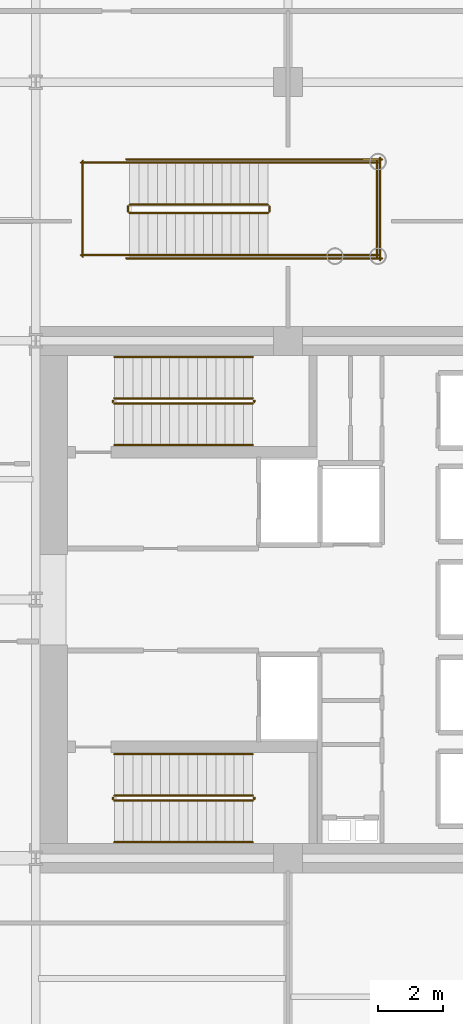
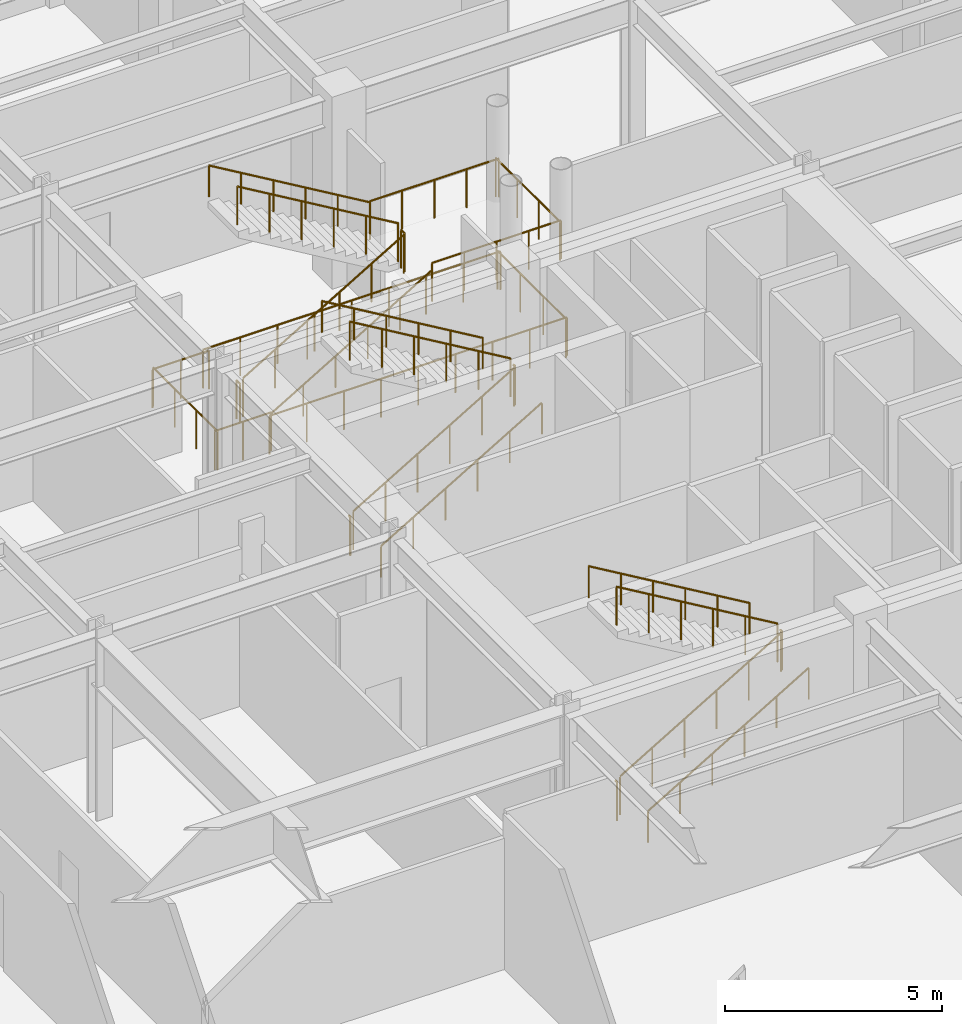
# One storey, part 11 of 11: 27 railings.
"""IFC4 building model written with IfcOpenShell, lengths in metres."""

from ifc_helpers import new_model, si_unit, direction, frame, origin, origin_2d, place, context, subcontext, project, spatial, circle, extrude, material, type_object, element, save


model = new_model("IFC4")

# Units and contexts
model_context = context("Model", 3, precision=1e-05, world=origin(), true_north=direction((0.0, 1.0)))
body_context = subcontext(model_context, "Body", "Model", "MODEL_VIEW")
ifc_project = project(units=[si_unit("LENGTHUNIT", "METRE"), si_unit("AREAUNIT", "SQUARE_METRE"), si_unit("VOLUMEUNIT", "CUBIC_METRE"), si_unit("PLANEANGLEUNIT", "RADIAN"), si_unit("MASSUNIT", "GRAM", prefix="KILO")], contexts=[model_context])

# Site, building, storey
site_placement = place(None, origin())
site = spatial("IfcSite", under=ifc_project, at=site_placement, CompositionType="ELEMENT")
building_placement = place(site_placement, origin())
building = spatial("IfcBuilding", under=site, at=building_placement, Name="Veymaron Broadcast Tower", CompositionType="ELEMENT")
storey_placement = place(building_placement, frame((0.0, 0.0, 16.199951171875)))
storey = spatial("IfcBuildingStorey", under=building, at=storey_placement, Name="L03", CompositionType="ELEMENT", Elevation=16.199951171875)

# Railings
ifc_material_1 = material(Name="Brushed stainless steel AISI 304", Category="steel")
railing_type_1 = type_object("IfcRailingType", Name="RAIL-STAIR-HR", PredefinedType="HANDRAIL", material=ifc_material_1)
railing_1_placement = place(storey_placement, frame((41.429931640625, 28.780029296875, 0.168701171875)))
element("IfcRailing", 1, at=railing_1_placement, inside=storey, type_object=railing_type_1, Name="L03 ST1 stair handrail 1", PredefinedType="HANDRAIL", context=body_context, shape_type="SweptSolid", body=[
    extrude(circle(Radius=0.02392578125, at=origin_2d()), frame((0.0, 0.0, 0.8759765625), z_axis=(0.860483042394, 0.0, 0.50947908078), x_axis=(0.0, 1.0, 0.0)), (0.0, 0.0, 1.0), 4.96826171875),
    extrude(circle(Radius=0.02099609375, at=origin_2d()), origin(), (0.0, 0.0, 1.0), 0.851806640625),
    extrude(circle(Radius=0.02099609375, at=origin_2d()), frame((0.85498046875, 0.0, 0.50634765625)), (0.0, 0.0, 1.0), 0.851806640625),
    extrude(circle(Radius=0.02099609375, at=origin_2d()), frame((1.7099609375, 0.0, 1.012451171875)), (0.0, 0.0, 1.0), 0.851806640625),
    extrude(circle(Radius=0.02099609375, at=origin_2d()), frame((2.565185546875, 0.0, 1.518798828125)), (0.0, 0.0, 1.0), 0.851806640625),
    extrude(circle(Radius=0.02099609375, at=origin_2d()), frame((3.420166015625, 0.0, 2.02490234375)), (0.0, 0.0, 1.0), 0.851806640625),
    extrude(circle(Radius=0.02099609375, at=origin_2d()), frame((4.275146484375, 0.0, 2.53125)), (0.0, 0.0, 1.0), 0.851806640625),
])
railing_2_placement = place(storey_placement, frame((45.705078125, 31.5, 2.868896484375)))
element("IfcRailing", 2, at=railing_2_placement, inside=storey, type_object=railing_type_1, Name="L03 ST1 stair handrail 2", PredefinedType="HANDRAIL", context=body_context, shape_type="SweptSolid", body=[
    extrude(circle(Radius=0.02392578125, at=origin_2d()), frame((0.0, 0.0, 0.8759765625), z_axis=(-0.860483042394, 0.0, 0.50947908078), x_axis=(0.0, -1.0, 0.0)), (0.0, 0.0, 1.0), 4.96826171875),
    extrude(circle(Radius=0.02099609375, at=origin_2d()), origin(), (0.0, 0.0, 1.0), 0.851806640625),
    extrude(circle(Radius=0.02099609375, at=origin_2d()), frame((-0.85498046875, 0.0, 0.50634765625)), (0.0, 0.0, 1.0), 0.851806640625),
    extrude(circle(Radius=0.02099609375, at=origin_2d()), frame((-1.7099609375, 0.0, 1.012451171875)), (0.0, 0.0, 1.0), 0.851806640625),
    extrude(circle(Radius=0.02099609375, at=origin_2d()), frame((-2.565185546875, 0.0, 1.518798828125)), (0.0, 0.0, 1.0), 0.851806640625),
    extrude(circle(Radius=0.02099609375, at=origin_2d()), frame((-3.420166015625, 0.0, 2.02490234375)), (0.0, 0.0, 1.0), 0.851806640625),
    extrude(circle(Radius=0.02099609375, at=origin_2d()), frame((-4.275146484375, 0.0, 2.53125)), (0.0, 0.0, 1.0), 0.851806640625),
])
railing_3_placement = place(storey_placement, frame((41.429931640625, 16.5, 0.168701171875)))
element("IfcRailing", 3, at=railing_3_placement, inside=storey, type_object=railing_type_1, Name="L03 ST2 stair handrail 1", PredefinedType="HANDRAIL", context=body_context, shape_type="SweptSolid", body=[
    extrude(circle(Radius=0.02392578125, at=origin_2d()), frame((0.0, 0.0, 0.8759765625), z_axis=(0.860483042394, 0.0, 0.50947908078), x_axis=(0.0, 1.0, 0.0)), (0.0, 0.0, 1.0), 4.96826171875),
    extrude(circle(Radius=0.02099609375, at=origin_2d()), origin(), (0.0, 0.0, 1.0), 0.851806640625),
    extrude(circle(Radius=0.02099609375, at=origin_2d()), frame((0.85498046875, 0.0, 0.50634765625)), (0.0, 0.0, 1.0), 0.851806640625),
    extrude(circle(Radius=0.02099609375, at=origin_2d()), frame((1.7099609375, 0.0, 1.012451171875)), (0.0, 0.0, 1.0), 0.851806640625),
    extrude(circle(Radius=0.02099609375, at=origin_2d()), frame((2.565185546875, 0.0, 1.518798828125)), (0.0, 0.0, 1.0), 0.851806640625),
    extrude(circle(Radius=0.02099609375, at=origin_2d()), frame((3.420166015625, 0.0, 2.02490234375)), (0.0, 0.0, 1.0), 0.851806640625),
    extrude(circle(Radius=0.02099609375, at=origin_2d()), frame((4.275146484375, 0.0, 2.53125)), (0.0, 0.0, 1.0), 0.851806640625),
])
railing_4_placement = place(storey_placement, frame((45.705078125, 19.219970703125, 2.868896484375)))
element("IfcRailing", 4, at=railing_4_placement, inside=storey, type_object=railing_type_1, Name="L03 ST2 stair handrail 2", PredefinedType="HANDRAIL", context=body_context, shape_type="SweptSolid", body=[
    extrude(circle(Radius=0.02392578125, at=origin_2d()), frame((0.0, 0.0, 0.8759765625), z_axis=(-0.860483042394, 0.0, 0.50947908078), x_axis=(0.0, -1.0, 0.0)), (0.0, 0.0, 1.0), 4.96826171875),
    extrude(circle(Radius=0.02099609375, at=origin_2d()), origin(), (0.0, 0.0, 1.0), 0.851806640625),
    extrude(circle(Radius=0.02099609375, at=origin_2d()), frame((-0.85498046875, 0.0, 0.50634765625)), (0.0, 0.0, 1.0), 0.851806640625),
    extrude(circle(Radius=0.02099609375, at=origin_2d()), frame((-1.7099609375, 0.0, 1.012451171875)), (0.0, 0.0, 1.0), 0.851806640625),
    extrude(circle(Radius=0.02099609375, at=origin_2d()), frame((-2.565185546875, 0.0, 1.518798828125)), (0.0, 0.0, 1.0), 0.851806640625),
    extrude(circle(Radius=0.02099609375, at=origin_2d()), frame((-3.420166015625, 0.0, 2.02490234375)), (0.0, 0.0, 1.0), 0.851806640625),
    extrude(circle(Radius=0.02099609375, at=origin_2d()), frame((-4.275146484375, 0.0, 2.53125)), (0.0, 0.0, 1.0), 0.851806640625),
])
railing_5_placement = place(storey_placement, frame((41.89990234375, 34.64990234375, 0.168701171875)))
element("IfcRailing", 5, at=railing_5_placement, inside=storey, type_object=railing_type_1, Name="L03 STF1 stair handrail 1", PredefinedType="HANDRAIL", context=body_context, shape_type="SweptSolid", body=[
    extrude(circle(Radius=0.02392578125, at=origin_2d()), frame((0.0, 0.0, 0.8759765625), z_axis=(0.860483042394, 0.0, 0.50947908078), x_axis=(0.0, 1.0, 0.0)), (0.0, 0.0, 1.0), 4.96826171875),
    extrude(circle(Radius=0.02099609375, at=origin_2d()), origin(), (0.0, 0.0, 1.0), 0.851806640625),
    extrude(circle(Radius=0.02099609375, at=origin_2d()), frame((0.85498046875, 0.0, 0.50634765625)), (0.0, 0.0, 1.0), 0.851806640625),
    extrude(circle(Radius=0.02099609375, at=origin_2d()), frame((1.7099609375, 0.0, 1.012451171875)), (0.0, 0.0, 1.0), 0.851806640625),
    extrude(circle(Radius=0.02099609375, at=origin_2d()), frame((2.565185546875, 0.0, 1.518798828125)), (0.0, 0.0, 1.0), 0.851806640625),
    extrude(circle(Radius=0.02099609375, at=origin_2d()), frame((3.420166015625, 0.0, 2.02490234375)), (0.0, 0.0, 1.0), 0.851806640625),
    extrude(circle(Radius=0.02099609375, at=origin_2d()), frame((4.275146484375, 0.0, 2.53125)), (0.0, 0.0, 1.0), 0.851806640625),
])
railing_6_placement = place(storey_placement, frame((46.175048828125, 37.510009765625, 2.868896484375)))
element("IfcRailing", 6, at=railing_6_placement, inside=storey, type_object=railing_type_1, Name="L03 STF1 stair handrail 2", PredefinedType="HANDRAIL", context=body_context, shape_type="SweptSolid", body=[
    extrude(circle(Radius=0.02392578125, at=origin_2d()), frame((0.0, 0.0, 0.8759765625), z_axis=(-0.860483042394, 0.0, 0.50947908078), x_axis=(0.0, -1.0, 0.0)), (0.0, 0.0, 1.0), 4.96826171875),
    extrude(circle(Radius=0.02099609375, at=origin_2d()), origin(), (0.0, 0.0, 1.0), 0.851806640625),
    extrude(circle(Radius=0.02099609375, at=origin_2d()), frame((-0.85498046875, 0.0, 0.50634765625)), (0.0, 0.0, 1.0), 0.851806640625),
    extrude(circle(Radius=0.02099609375, at=origin_2d()), frame((-1.7099609375, 0.0, 1.012451171875)), (0.0, 0.0, 1.0), 0.851806640625),
    extrude(circle(Radius=0.02099609375, at=origin_2d()), frame((-2.565185546875, 0.0, 1.518798828125)), (0.0, 0.0, 1.0), 0.851806640625),
    extrude(circle(Radius=0.02099609375, at=origin_2d()), frame((-3.420166015625, 0.0, 2.02490234375)), (0.0, 0.0, 1.0), 0.851806640625),
    extrude(circle(Radius=0.02099609375, at=origin_2d()), frame((-4.275146484375, 0.0, 2.53125)), (0.0, 0.0, 1.0), 0.851806640625),
])
ifc_material_2 = material(Name="Painted galvanized steel balustrade", Category="steel")
railing_type_2 = type_object("IfcRailingType", Name="RAIL-WELL-GRD", PredefinedType="GUARDRAIL", material=ifc_material_2)
railing_7_placement = place(storey_placement, frame((41.429931640625, 30.06005859375, 0.168701171875)))
element("IfcRailing", 7, at=railing_7_placement, inside=storey, type_object=railing_type_2, Name="L03 ST1 stair guard 1", PredefinedType="GUARDRAIL", context=body_context, shape_type="SweptSolid", body=[
    extrude(circle(Radius=0.02392578125, at=origin_2d()), frame((0.0, 0.0, 1.076171875), z_axis=(0.860483042394, 0.0, 0.50947908078), x_axis=(0.0, 1.0, 0.0)), (0.0, 0.0, 1.0), 4.96826171875),
    extrude(circle(Radius=0.02099609375, at=origin_2d()), origin(), (0.0, 0.0, 1.0), 1.052001953125),
    extrude(circle(Radius=0.02099609375, at=origin_2d()), frame((0.85498046875, 0.0, 0.50634765625)), (0.0, 0.0, 1.0), 1.052001953125),
    extrude(circle(Radius=0.02099609375, at=origin_2d()), frame((1.7099609375, 0.0, 1.012451171875)), (0.0, 0.0, 1.0), 1.052001953125),
    extrude(circle(Radius=0.02099609375, at=origin_2d()), frame((2.565185546875, 0.0, 1.518798828125)), (0.0, 0.0, 1.0), 1.052001953125),
    extrude(circle(Radius=0.02099609375, at=origin_2d()), frame((3.420166015625, 0.0, 2.02490234375)), (0.0, 0.0, 1.0), 1.052001953125),
    extrude(circle(Radius=0.02099609375, at=origin_2d()), frame((4.275146484375, 0.0, 2.53125)), (0.0, 0.0, 1.0), 1.052001953125),
])
railing_8_placement = place(storey_placement, frame((45.7548828125, 30.110107421875, 2.699951171875)))
element("IfcRailing", 8, at=railing_8_placement, inside=storey, type_object=railing_type_2, Name="L03 ST1 stair guard 2", PredefinedType="GUARDRAIL", context=body_context, shape_type="SweptSolid", body=[
    extrude(circle(Radius=0.02392578125, at=origin_2d()), frame((0.0, 0.0, 1.076171875), z_axis=(0.0, 1.0, 0.0), x_axis=(-1.0, 0.0, 0.0)), (0.0, 0.0, 1.0), 0.059814453125),
    extrude(circle(Radius=0.02099609375, at=origin_2d()), origin(), (0.0, 0.0, 1.0), 1.052001953125),
])
railing_9_placement = place(storey_placement, frame((45.705078125, 30.219970703125, 2.868896484375)))
element("IfcRailing", 9, at=railing_9_placement, inside=storey, type_object=railing_type_2, Name="L03 ST1 stair guard 3", PredefinedType="GUARDRAIL", context=body_context, shape_type="SweptSolid", body=[
    extrude(circle(Radius=0.02392578125, at=origin_2d()), frame((0.0, 0.0, 1.076171875), z_axis=(-0.860483042394, 0.0, 0.50947908078), x_axis=(0.0, -1.0, 0.0)), (0.0, 0.0, 1.0), 4.96826171875),
    extrude(circle(Radius=0.02099609375, at=origin_2d()), origin(), (0.0, 0.0, 1.0), 1.052001953125),
    extrude(circle(Radius=0.02099609375, at=origin_2d()), frame((-0.85498046875, 0.0, 0.50634765625)), (0.0, 0.0, 1.0), 1.052001953125),
    extrude(circle(Radius=0.02099609375, at=origin_2d()), frame((-1.7099609375, 0.0, 1.012451171875)), (0.0, 0.0, 1.0), 1.052001953125),
    extrude(circle(Radius=0.02099609375, at=origin_2d()), frame((-2.565185546875, 0.0, 1.518798828125)), (0.0, 0.0, 1.0), 1.052001953125),
    extrude(circle(Radius=0.02099609375, at=origin_2d()), frame((-3.420166015625, 0.0, 2.02490234375)), (0.0, 0.0, 1.0), 1.052001953125),
    extrude(circle(Radius=0.02099609375, at=origin_2d()), frame((-4.275146484375, 0.0, 2.53125)), (0.0, 0.0, 1.0), 1.052001953125),
])
railing_10_placement = place(storey_placement, frame((41.3798828125, 30.110107421875, 0.0)))
element("IfcRailing", 10, at=railing_10_placement, inside=storey, type_object=railing_type_2, Name="L03 ST1 stair guard 4", PredefinedType="GUARDRAIL", context=body_context, shape_type="SweptSolid", body=[
    extrude(circle(Radius=0.02392578125, at=origin_2d()), frame((0.0, 0.0, 1.076171875), z_axis=(0.0, 1.0, 0.0), x_axis=(-1.0, 0.0, 0.0)), (0.0, 0.0, 1.0), 0.059814453125),
    extrude(circle(Radius=0.02099609375, at=origin_2d()), origin(), (0.0, 0.0, 1.0), 1.052001953125),
])
railing_11_placement = place(storey_placement, frame((41.429931640625, 17.780029296875, 0.168701171875)))
element("IfcRailing", 11, at=railing_11_placement, inside=storey, type_object=railing_type_2, Name="L03 ST2 stair guard 1", PredefinedType="GUARDRAIL", context=body_context, shape_type="SweptSolid", body=[
    extrude(circle(Radius=0.02392578125, at=origin_2d()), frame((0.0, 0.0, 1.076171875), z_axis=(0.860483042394, 0.0, 0.50947908078), x_axis=(0.0, 1.0, 0.0)), (0.0, 0.0, 1.0), 4.96826171875),
    extrude(circle(Radius=0.02099609375, at=origin_2d()), origin(), (0.0, 0.0, 1.0), 1.052001953125),
    extrude(circle(Radius=0.02099609375, at=origin_2d()), frame((0.85498046875, 0.0, 0.50634765625)), (0.0, 0.0, 1.0), 1.052001953125),
    extrude(circle(Radius=0.02099609375, at=origin_2d()), frame((1.7099609375, 0.0, 1.012451171875)), (0.0, 0.0, 1.0), 1.052001953125),
    extrude(circle(Radius=0.02099609375, at=origin_2d()), frame((2.565185546875, 0.0, 1.518798828125)), (0.0, 0.0, 1.0), 1.052001953125),
    extrude(circle(Radius=0.02099609375, at=origin_2d()), frame((3.420166015625, 0.0, 2.02490234375)), (0.0, 0.0, 1.0), 1.052001953125),
    extrude(circle(Radius=0.02099609375, at=origin_2d()), frame((4.275146484375, 0.0, 2.53125)), (0.0, 0.0, 1.0), 1.052001953125),
])
railing_12_placement = place(storey_placement, frame((45.7548828125, 17.830078125, 2.699951171875)))
element("IfcRailing", 12, at=railing_12_placement, inside=storey, type_object=railing_type_2, Name="L03 ST2 stair guard 2", PredefinedType="GUARDRAIL", context=body_context, shape_type="SweptSolid", body=[
    extrude(circle(Radius=0.02392578125, at=origin_2d()), frame((0.0, 0.0, 1.076171875), z_axis=(0.0, 1.0, 0.0), x_axis=(-1.0, 0.0, 0.0)), (0.0, 0.0, 1.0), 0.059814453125),
    extrude(circle(Radius=0.02099609375, at=origin_2d()), origin(), (0.0, 0.0, 1.0), 1.052001953125),
])
railing_13_placement = place(storey_placement, frame((45.705078125, 17.93994140625, 2.868896484375)))
element("IfcRailing", 13, at=railing_13_placement, inside=storey, type_object=railing_type_2, Name="L03 ST2 stair guard 3", PredefinedType="GUARDRAIL", context=body_context, shape_type="SweptSolid", body=[
    extrude(circle(Radius=0.02392578125, at=origin_2d()), frame((0.0, 0.0, 1.076171875), z_axis=(-0.860483042394, 0.0, 0.50947908078), x_axis=(0.0, -1.0, 0.0)), (0.0, 0.0, 1.0), 4.96826171875),
    extrude(circle(Radius=0.02099609375, at=origin_2d()), origin(), (0.0, 0.0, 1.0), 1.052001953125),
    extrude(circle(Radius=0.02099609375, at=origin_2d()), frame((-0.85498046875, 0.0, 0.50634765625)), (0.0, 0.0, 1.0), 1.052001953125),
    extrude(circle(Radius=0.02099609375, at=origin_2d()), frame((-1.7099609375, 0.0, 1.012451171875)), (0.0, 0.0, 1.0), 1.052001953125),
    extrude(circle(Radius=0.02099609375, at=origin_2d()), frame((-2.565185546875, 0.0, 1.518798828125)), (0.0, 0.0, 1.0), 1.052001953125),
    extrude(circle(Radius=0.02099609375, at=origin_2d()), frame((-3.420166015625, 0.0, 2.02490234375)), (0.0, 0.0, 1.0), 1.052001953125),
    extrude(circle(Radius=0.02099609375, at=origin_2d()), frame((-4.275146484375, 0.0, 2.53125)), (0.0, 0.0, 1.0), 1.052001953125),
])
railing_14_placement = place(storey_placement, frame((41.3798828125, 17.830078125, 0.0)))
element("IfcRailing", 14, at=railing_14_placement, inside=storey, type_object=railing_type_2, Name="L03 ST2 stair guard 4", PredefinedType="GUARDRAIL", context=body_context, shape_type="SweptSolid", body=[
    extrude(circle(Radius=0.02392578125, at=origin_2d()), frame((0.0, 0.0, 1.076171875), z_axis=(0.0, 1.0, 0.0), x_axis=(-1.0, 0.0, 0.0)), (0.0, 0.0, 1.0), 0.059814453125),
    extrude(circle(Radius=0.02099609375, at=origin_2d()), origin(), (0.0, 0.0, 1.0), 1.052001953125),
])
railing_15_placement = place(storey_placement, frame((41.89990234375, 35.949951171875, 0.168701171875)))
element("IfcRailing", 15, at=railing_15_placement, inside=storey, type_object=railing_type_2, Name="L03 STF1 stair guard 1", PredefinedType="GUARDRAIL", context=body_context, shape_type="SweptSolid", body=[
    extrude(circle(Radius=0.02392578125, at=origin_2d()), frame((0.0, 0.0, 1.076171875), z_axis=(0.860483042394, 0.0, 0.50947908078), x_axis=(0.0, 1.0, 0.0)), (0.0, 0.0, 1.0), 4.96826171875),
    extrude(circle(Radius=0.02099609375, at=origin_2d()), origin(), (0.0, 0.0, 1.0), 1.052001953125),
    extrude(circle(Radius=0.02099609375, at=origin_2d()), frame((0.85498046875, 0.0, 0.50634765625)), (0.0, 0.0, 1.0), 1.052001953125),
    extrude(circle(Radius=0.02099609375, at=origin_2d()), frame((1.7099609375, 0.0, 1.012451171875)), (0.0, 0.0, 1.0), 1.052001953125),
    extrude(circle(Radius=0.02099609375, at=origin_2d()), frame((2.565185546875, 0.0, 1.518798828125)), (0.0, 0.0, 1.0), 1.052001953125),
    extrude(circle(Radius=0.02099609375, at=origin_2d()), frame((3.420166015625, 0.0, 2.02490234375)), (0.0, 0.0, 1.0), 1.052001953125),
    extrude(circle(Radius=0.02099609375, at=origin_2d()), frame((4.275146484375, 0.0, 2.53125)), (0.0, 0.0, 1.0), 1.052001953125),
])
railing_16_placement = place(storey_placement, frame((46.22509765625, 36.0, 2.699951171875)))
element("IfcRailing", 16, at=railing_16_placement, inside=storey, type_object=railing_type_2, Name="L03 STF1 stair guard 2", PredefinedType="GUARDRAIL", context=body_context, shape_type="SweptSolid", body=[
    extrude(circle(Radius=0.02392578125, at=origin_2d()), frame((0.0, 0.0, 1.076171875), z_axis=(0.0, 1.0, 0.0), x_axis=(-1.0, 0.0, 0.0)), (0.0, 0.0, 1.0), 0.159912109375),
    extrude(circle(Radius=0.02099609375, at=origin_2d()), origin(), (0.0, 0.0, 1.0), 1.052001953125),
    extrude(circle(Radius=0.02099609375, at=origin_2d()), frame((0.0, 0.159912109375, 0.0)), (0.0, 0.0, 1.0), 1.052001953125),
])
for number, where, name in (
    (17, (46.175048828125, 34.64990234375, 2.699951171875), "L03 STF1 stair guard 3"),
    (18, (46.175048828125, 37.510009765625, 2.699951171875), "L03 STF1 stair guard 4"),
):
    element("IfcRailing", number, at=place(storey_placement, frame(where)), inside=storey, type_object=railing_type_2, Name=name, PredefinedType="GUARDRAIL", context=body_context, shape_type="SweptSolid", body=[
        extrude(circle(Radius=0.02392578125, at=origin_2d()), frame((0.0, 0.0, 1.076171875), z_axis=(1.0, 0.0, 0.0), x_axis=(0.0, 1.0, 0.0)), (0.0, 0.0, 1.0), 3.425048828125),
        extrude(circle(Radius=0.02099609375, at=origin_2d()), origin(), (0.0, 0.0, 1.0), 1.052001953125),
        extrude(circle(Radius=0.02099609375, at=origin_2d()), frame((0.856201171875, 0.0, 0.0)), (0.0, 0.0, 1.0), 1.052001953125),
        extrude(circle(Radius=0.02099609375, at=origin_2d()), frame((1.71240234375, 0.0, 0.0)), (0.0, 0.0, 1.0), 1.052001953125),
        extrude(circle(Radius=0.02099609375, at=origin_2d()), frame((2.56884765625, 0.0, 0.0)), (0.0, 0.0, 1.0), 1.052001953125),
        extrude(circle(Radius=0.02099609375, at=origin_2d()), frame((3.425048828125, 0.0, 0.0)), (0.0, 0.0, 1.0), 1.052001953125),
    ])
railing_17_placement = place(storey_placement, frame((49.550048828125, 34.60009765625, 2.699951171875)))
element("IfcRailing", 19, at=railing_17_placement, inside=storey, type_object=railing_type_2, Name="L03 STF1 stair guard 5", PredefinedType="GUARDRAIL", context=body_context, shape_type="SweptSolid", body=[
    extrude(circle(Radius=0.02392578125, at=origin_2d()), frame((0.0, 0.0, 1.076171875), z_axis=(0.0, 1.0, 0.0), x_axis=(-1.0, 0.0, 0.0)), (0.0, 0.0, 1.0), 2.9599609375),
    extrude(circle(Radius=0.02099609375, at=origin_2d()), origin(), (0.0, 0.0, 1.0), 1.052001953125),
    extrude(circle(Radius=0.02099609375, at=origin_2d()), frame((0.0, 0.986572265625, 0.0)), (0.0, 0.0, 1.0), 1.052001953125),
    extrude(circle(Radius=0.02099609375, at=origin_2d()), frame((0.0, 1.973388671875, 0.0)), (0.0, 0.0, 1.0), 1.052001953125),
    extrude(circle(Radius=0.02099609375, at=origin_2d()), frame((0.0, 2.9599609375, 0.0)), (0.0, 0.0, 1.0), 1.052001953125),
])
railing_18_placement = place(storey_placement, frame((46.175048828125, 36.2099609375, 2.868896484375)))
element("IfcRailing", 20, at=railing_18_placement, inside=storey, type_object=railing_type_2, Name="L03 STF1 stair guard 6", PredefinedType="GUARDRAIL", context=body_context, shape_type="SweptSolid", body=[
    extrude(circle(Radius=0.02392578125, at=origin_2d()), frame((0.0, 0.0, 1.076171875), z_axis=(-0.860483042394, 0.0, 0.50947908078), x_axis=(0.0, -1.0, 0.0)), (0.0, 0.0, 1.0), 4.96826171875),
    extrude(circle(Radius=0.02099609375, at=origin_2d()), origin(), (0.0, 0.0, 1.0), 1.052001953125),
    extrude(circle(Radius=0.02099609375, at=origin_2d()), frame((-0.85498046875, 0.0, 0.50634765625)), (0.0, 0.0, 1.0), 1.052001953125),
    extrude(circle(Radius=0.02099609375, at=origin_2d()), frame((-1.7099609375, 0.0, 1.012451171875)), (0.0, 0.0, 1.0), 1.052001953125),
    extrude(circle(Radius=0.02099609375, at=origin_2d()), frame((-2.565185546875, 0.0, 1.518798828125)), (0.0, 0.0, 1.0), 1.052001953125),
    extrude(circle(Radius=0.02099609375, at=origin_2d()), frame((-3.420166015625, 0.0, 2.02490234375)), (0.0, 0.0, 1.0), 1.052001953125),
    extrude(circle(Radius=0.02099609375, at=origin_2d()), frame((-4.275146484375, 0.0, 2.53125)), (0.0, 0.0, 1.0), 1.052001953125),
])
railing_19_placement = place(storey_placement, frame((41.85009765625, 36.0, 0.0)))
element("IfcRailing", 21, at=railing_19_placement, inside=storey, type_object=railing_type_2, Name="L03 STF1 stair guard 7", PredefinedType="GUARDRAIL", context=body_context, shape_type="SweptSolid", body=[
    extrude(circle(Radius=0.02392578125, at=origin_2d()), frame((0.0, 0.0, 1.076171875), z_axis=(0.0, 1.0, 0.0), x_axis=(-1.0, 0.0, 0.0)), (0.0, 0.0, 1.0), 0.159912109375),
    extrude(circle(Radius=0.02099609375, at=origin_2d()), origin(), (0.0, 0.0, 1.0), 1.052001953125),
    extrude(circle(Radius=0.02099609375, at=origin_2d()), frame((0.0, 0.159912109375, 0.0)), (0.0, 0.0, 1.0), 1.052001953125),
])
for number, where, name in (
    (22, (40.39990234375, 34.64990234375, 0.0), "L03 STF1 stair guard 8"),
    (23, (40.39990234375, 37.510009765625, 0.0), "L03 STF1 stair guard 9"),
):
    element("IfcRailing", number, at=place(storey_placement, frame(where)), inside=storey, type_object=railing_type_2, Name=name, PredefinedType="GUARDRAIL", context=body_context, shape_type="SweptSolid", body=[
        extrude(circle(Radius=0.02392578125, at=origin_2d()), frame((0.0, 0.0, 1.076171875), z_axis=(1.0, 0.0, 0.0), x_axis=(0.0, 1.0, 0.0)), (0.0, 0.0, 1.0), 1.5),
        extrude(circle(Radius=0.02099609375, at=origin_2d()), origin(), (0.0, 0.0, 1.0), 1.052001953125),
        extrude(circle(Radius=0.02099609375, at=origin_2d()), frame((0.75, 0.0, 0.0)), (0.0, 0.0, 1.0), 1.052001953125),
        extrude(circle(Radius=0.02099609375, at=origin_2d()), frame((1.5, 0.0, 0.0)), (0.0, 0.0, 1.0), 1.052001953125),
    ])
railing_20_placement = place(storey_placement, frame((40.449951171875, 34.60009765625, 0.0)))
element("IfcRailing", 24, at=railing_20_placement, inside=storey, type_object=railing_type_2, Name="L03 STF1 stair guard 10", PredefinedType="GUARDRAIL", context=body_context, shape_type="SweptSolid", body=[
    extrude(circle(Radius=0.02392578125, at=origin_2d()), frame((0.0, 0.0, 1.076171875), z_axis=(0.0, 1.0, 0.0), x_axis=(-1.0, 0.0, 0.0)), (0.0, 0.0, 1.0), 2.9599609375),
    extrude(circle(Radius=0.02099609375, at=origin_2d()), origin(), (0.0, 0.0, 1.0), 1.052001953125),
    extrude(circle(Radius=0.02099609375, at=origin_2d()), frame((0.0, 0.986572265625, 0.0)), (0.0, 0.0, 1.0), 1.052001953125),
    extrude(circle(Radius=0.02099609375, at=origin_2d()), frame((0.0, 1.973388671875, 0.0)), (0.0, 0.0, 1.0), 1.052001953125),
    extrude(circle(Radius=0.02099609375, at=origin_2d()), frame((0.0, 2.9599609375, 0.0)), (0.0, 0.0, 1.0), 1.052001953125),
])
for number, where, name in (
    (25, (41.800048828125, 34.550048828125, 0.0), "L03 STF1 stair guard 11"),
    (26, (41.800048828125, 37.610107421875, 0.0), "L03 STF1 stair guard 12"),
):
    element("IfcRailing", number, at=place(storey_placement, frame(where)), inside=storey, type_object=railing_type_2, Name=name, PredefinedType="GUARDRAIL", context=body_context, shape_type="SweptSolid", body=[
        extrude(circle(Radius=0.02392578125, at=origin_2d()), frame((0.0, 0.0, 1.076171875), z_axis=(1.0, 0.0, 0.0), x_axis=(0.0, 1.0, 0.0)), (0.0, 0.0, 1.0), 7.89990234375),
        extrude(circle(Radius=0.02099609375, at=origin_2d()), origin(), (0.0, 0.0, 1.0), 1.052001953125),
        extrude(circle(Radius=0.02099609375, at=origin_2d()), frame((0.987548828125, 0.0, 0.0)), (0.0, 0.0, 1.0), 1.052001953125),
        extrude(circle(Radius=0.02099609375, at=origin_2d()), frame((1.97509765625, 0.0, 0.0)), (0.0, 0.0, 1.0), 1.052001953125),
        extrude(circle(Radius=0.02099609375, at=origin_2d()), frame((2.96240234375, 0.0, 0.0)), (0.0, 0.0, 1.0), 1.052001953125),
        extrude(circle(Radius=0.02099609375, at=origin_2d()), frame((3.949951171875, 0.0, 0.0)), (0.0, 0.0, 1.0), 1.052001953125),
        extrude(circle(Radius=0.02099609375, at=origin_2d()), frame((4.9375, 0.0, 0.0)), (0.0, 0.0, 1.0), 1.052001953125),
        extrude(circle(Radius=0.02099609375, at=origin_2d()), frame((5.9248046875, 0.0, 0.0)), (0.0, 0.0, 1.0), 1.052001953125),
        extrude(circle(Radius=0.02099609375, at=origin_2d()), frame((6.912353515625, 0.0, 0.0)), (0.0, 0.0, 1.0), 1.052001953125),
        extrude(circle(Radius=0.02099609375, at=origin_2d()), frame((7.89990234375, 0.0, 0.0)), (0.0, 0.0, 1.0), 1.052001953125),
    ])
railing_21_placement = place(storey_placement, frame((49.64990234375, 34.5, 0.0)))
element("IfcRailing", 27, at=railing_21_placement, inside=storey, type_object=railing_type_2, Name="L03 STF1 stair guard 13", PredefinedType="GUARDRAIL", context=body_context, shape_type="SweptSolid", body=[
    extrude(circle(Radius=0.02392578125, at=origin_2d()), frame((0.0, 0.0, 1.076171875), z_axis=(0.0, 1.0, 0.0), x_axis=(-1.0, 0.0, 0.0)), (0.0, 0.0, 1.0), 3.159912109375),
    extrude(circle(Radius=0.02099609375, at=origin_2d()), origin(), (0.0, 0.0, 1.0), 1.052001953125),
    extrude(circle(Radius=0.02099609375, at=origin_2d()), frame((0.0, 1.05322265625, 0.0)), (0.0, 0.0, 1.0), 1.052001953125),
    extrude(circle(Radius=0.02099609375, at=origin_2d()), frame((0.0, 2.106689453125, 0.0)), (0.0, 0.0, 1.0), 1.052001953125),
    extrude(circle(Radius=0.02099609375, at=origin_2d()), frame((0.0, 3.159912109375, 0.0)), (0.0, 0.0, 1.0), 1.052001953125),
])

save(model, "model.ifc")
